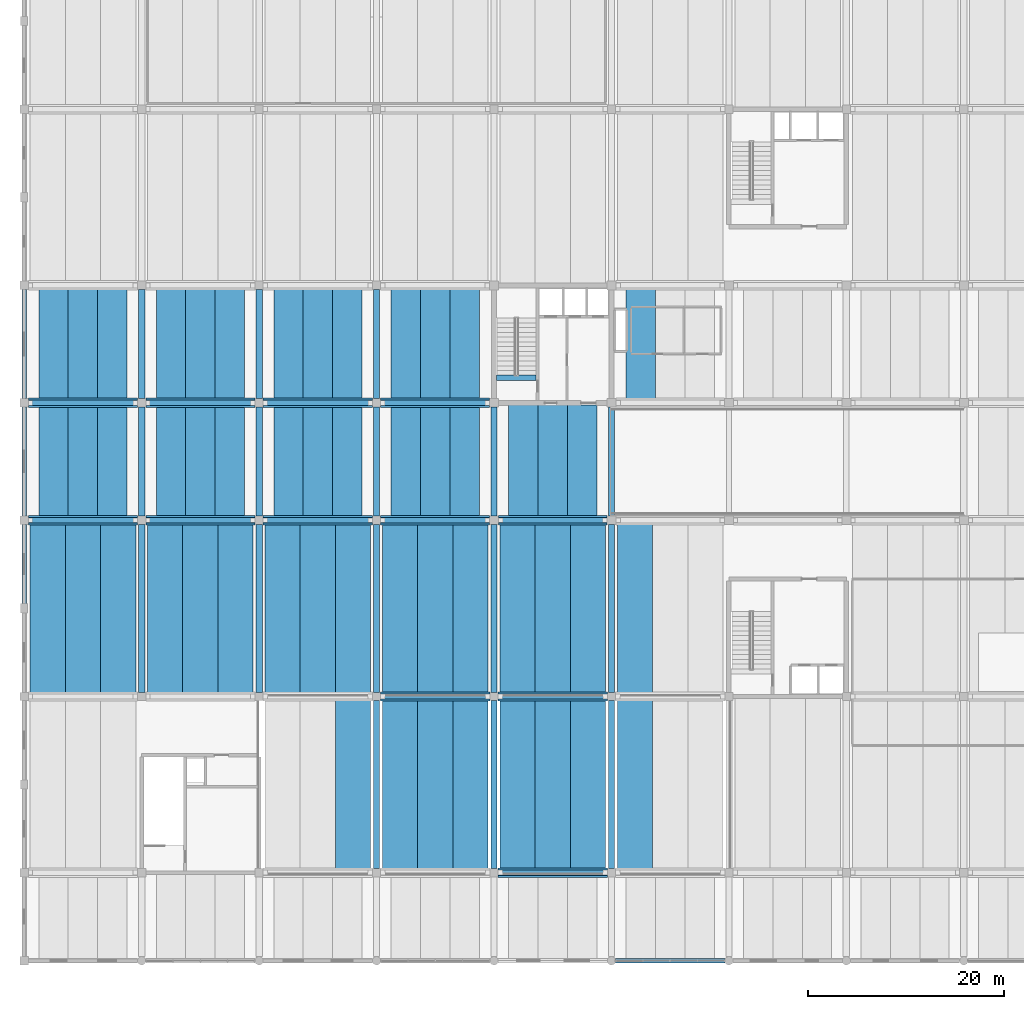
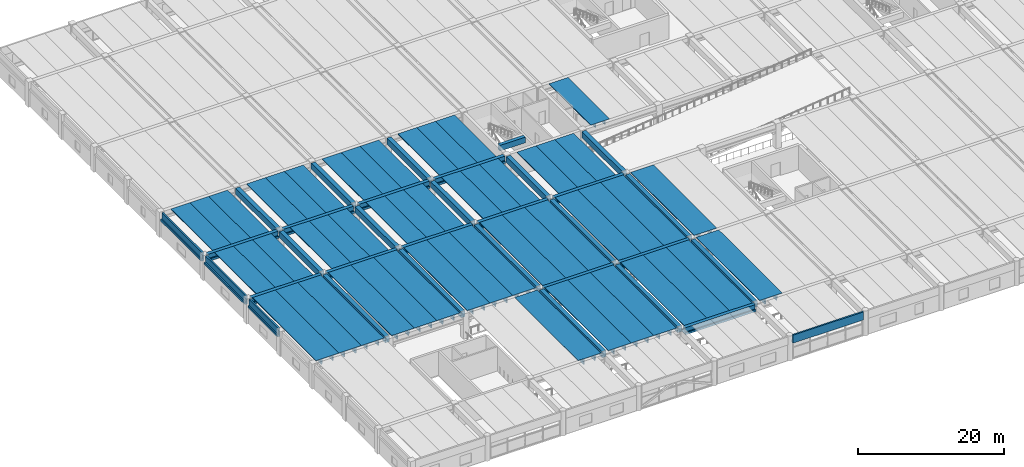
# One storey, part 10 of 50: 85 beams.
"""IFC4 building model written with IfcOpenShell, lengths in metres."""

from ifc_helpers import new_model, si_unit, direction, frame, origin, origin_2d, place, context, subcontext, project, spatial, polyline, rectangle, outline, extrude, material, material_profile, profile_set, type_object, element, save


model = new_model("IFC4")

# Units and contexts
model_context = context("Model", 3, precision=1e-05, world=origin(), true_north=direction((0.0, 1.0)))
body_context = subcontext(model_context, "Body", "Model", "MODEL_VIEW")
ifc_project = project(units=[si_unit("LENGTHUNIT", "METRE"), si_unit("AREAUNIT", "SQUARE_METRE"), si_unit("VOLUMEUNIT", "CUBIC_METRE"), si_unit("PLANEANGLEUNIT", "RADIAN"), si_unit("MASSUNIT", "GRAM", prefix="KILO")], contexts=[model_context])

# Site, building, storey
site_placement = place(None, origin())
site = spatial("IfcSite", under=ifc_project, at=site_placement, CompositionType="ELEMENT")
building_placement = place(site_placement, origin())
building = spatial("IfcBuilding", under=site, at=building_placement, Name="Girod Span Mobility Hub", CompositionType="ELEMENT")
storey_placement = place(building_placement, frame((0.0, 0.0, 5.39990234375)))
storey = spatial("IfcBuildingStorey", under=building, at=storey_placement, Name="L01", CompositionType="ELEMENT", Elevation=5.39990234375)

# Beams
ifc_material_1 = material(Name="Concrete C50/60", Category="concrete")
ifc_material_profile_1 = material_profile(ifc_material_1, outline(polyline([(-1.5, 0.35009765625), (-1.5, 0.2548828125), (-0.840087890625, 0.2548828125), (-0.81494140625, -0.35009765625), (-0.68505859375, -0.35009765625), (-0.659912109375, 0.2548828125), (0.659912109375, 0.2548828125), (0.68505859375, -0.35009765625), (0.81494140625, -0.35009765625), (0.840087890625, 0.2548828125), (1.5, 0.2548828125), (1.5, 0.35009765625), (-1.5, 0.35009765625)])), Name="DT-3000X700")
ifc_profile_set_1 = profile_set([ifc_material_profile_1], Name="Concrete C50/60")
beam_type_1 = type_object("IfcBeamType", Name="BM-DT-3000X700", PredefinedType="JOIST", material=ifc_profile_set_1)
for number, where, z_axis, x_axis, name in (
    (1, (3.0, 45.27197265625, 3.690185546875), (0.0, 1.0, 0.0), (-1.0, 0.0, 0.0), "Double-Tee Deck 1/D-1 L01"),
    (2, (6.0, 45.27197265625, 3.690185546875), (0.0, 1.0, 0.0), (-1.0, 0.0, 0.0), "Double-Tee Deck 1/D-2 L01"),
    (3, (9.0, 45.27197265625, 3.690185546875), (0.0, 1.0, 0.0), (-1.0, 0.0, 0.0), "Double-Tee Deck 1/D-3 L01"),
    (4, (3.0, 57.27197265625, 3.690185546875), (0.0, 1.0, 0.0), (-1.0, 0.0, 0.0), "Double-Tee Deck 1/E-1 L01"),
    (5, (6.0, 57.27197265625, 3.690185546875), (0.0, 1.0, 0.0), (-1.0, 0.0, 0.0), "Double-Tee Deck 1/E-2 L01"),
    (6, (9.0, 57.27197265625, 3.690185546875), (0.0, 1.0, 0.0), (-1.0, 0.0, 0.0), "Double-Tee Deck 1/E-3 L01"),
    (7, (15.0, 45.27197265625, 3.690185546875), (0.0, 1.0, 0.0), (-1.0, 0.0, 0.0), "Double-Tee Deck 2/D-1 L01"),
    (8, (18.0, 45.27197265625, 3.690185546875), (0.0, 1.0, 0.0), (-1.0, 0.0, 0.0), "Double-Tee Deck 2/D-2 L01"),
    (9, (21.0, 45.27197265625, 3.690185546875), (0.0, 1.0, 0.0), (-1.0, 0.0, 0.0), "Double-Tee Deck 2/D-3 L01"),
    (10, (15.0, 57.27197265625, 3.690185546875), (0.0, 1.0, 0.0), (-1.0, 0.0, 0.0), "Double-Tee Deck 2/E-1 L01"),
    (11, (18.0, 57.27197265625, 3.690185546875), (0.0, 1.0, 0.0), (-1.0, 0.0, 0.0), "Double-Tee Deck 2/E-2 L01"),
    (12, (21.0, 57.27197265625, 3.690185546875), (0.0, 1.0, 0.0), (-1.0, 0.0, 0.0), "Double-Tee Deck 2/E-3 L01"),
    (13, (27.0, 45.27197265625, 3.690185546875), (0.0, 1.0, 0.0), (-1.0, 0.0, 0.0), "Double-Tee Deck 3/D-1 L01"),
    (14, (30.0, 45.27197265625, 3.690185546875), (0.0, 1.0, 0.0), (-1.0, 0.0, 0.0), "Double-Tee Deck 3/D-2 L01"),
    (15, (33.0, 45.27197265625, 3.690185546875), (0.0, 1.0, 0.0), (-1.0, 0.0, 0.0), "Double-Tee Deck 3/D-3 L01"),
    (16, (27.0, 57.27197265625, 3.690185546875), (0.0, 1.0, 0.0), (-1.0, 0.0, 0.0), "Double-Tee Deck 3/E-1 L01"),
    (17, (30.0, 57.27197265625, 3.690185546875), (0.0, 1.0, 0.0), (-1.0, 0.0, 0.0), "Double-Tee Deck 3/E-2 L01"),
    (18, (33.0, 57.27197265625, 3.690185546875), (0.0, 1.0, 0.0), (-1.0, 0.0, 0.0), "Double-Tee Deck 3/E-3 L01"),
    (19, (39.0, 45.27197265625, 3.690185546875), (0.0, 1.0, 0.0), (-1.0, 0.0, 0.0), "Double-Tee Deck 4/D-1 L01"),
    (20, (42.0, 45.27197265625, 3.690185546875), (0.0, 1.0, 0.0), (-1.0, 0.0, 0.0), "Double-Tee Deck 4/D-2 L01"),
    (21, (45.0, 45.27197265625, 3.690185546875), (0.0, 1.0, 0.0), (-1.0, 0.0, 0.0), "Double-Tee Deck 4/D-3 L01"),
    (22, (39.0, 57.27197265625, 3.690185546875), (0.0, 1.0, 0.0), (-1.0, 0.0, 0.0), "Double-Tee Deck 4/E-1 L01"),
    (23, (42.0, 57.27197265625, 3.690185546875), (0.0, 1.0, 0.0), (-1.0, 0.0, 0.0), "Double-Tee Deck 4/E-2 L01"),
    (24, (45.0, 57.27197265625, 3.690185546875), (0.0, 1.0, 0.0), (-1.0, 0.0, 0.0), "Double-Tee Deck 4/E-3 L01"),
):
    element("IfcBeam", number, at=place(storey_placement, frame(where, z_axis=z_axis, x_axis=x_axis)), inside=storey, type_object=beam_type_1, Name=name, PredefinedType="JOIST", context=body_context, shape_type="SweptSolid", body=[
        extrude(outline(polyline([(-1.5, 0.35009765625), (-1.5, 0.2548828125), (-0.840087890625, 0.2548828125), (-0.81494140625, -0.35009765625), (-0.68505859375, -0.35009765625), (-0.659912109375, 0.2548828125), (0.659912109375, 0.2548828125), (0.68505859375, -0.35009765625), (0.81494140625, -0.35009765625), (0.840087890625, 0.2548828125), (1.5, 0.2548828125), (1.5, 0.35009765625), (-1.5, 0.35009765625)])), origin(), (0.0, 0.0, 1.0), 11.4560546875),
    ])
for number, where, z_axis, x_axis, name in (
    (25, (51.0, 45.27197265625, 3.690185546875), (0.0, 1.0, 0.0), (-1.0, 0.0, 0.0), "Double-Tee Deck 5/D-1 L01"),
    (26, (54.0, 45.27197265625, 3.690185546875), (0.0, 1.0, 0.0), (-1.0, 0.0, 0.0), "Double-Tee Deck 5/D-2 L01"),
    (27, (57.0, 45.27197265625, 3.690185546875), (0.0, 1.0, 0.0), (-1.0, 0.0, 0.0), "Double-Tee Deck 5/D-3 L01"),
):
    element("IfcBeam", number, at=place(storey_placement, frame(where, z_axis=z_axis, x_axis=x_axis)), inside=storey, type_object=beam_type_1, Name=name, PredefinedType="JOIST", context=body_context, shape_type="SweptSolid", body=[
        extrude(outline(polyline([(-1.5, 0.35009765625), (-1.5, 0.2548828125), (-0.840087890625, 0.2548828125), (-0.81494140625, -0.35009765625), (-0.68505859375, -0.35009765625), (-0.659912109375, 0.2548828125), (0.659912109375, 0.2548828125), (0.68505859375, -0.35009765625), (0.81494140625, -0.35009765625), (0.840087890625, 0.2548828125), (1.5, 0.2548828125), (1.5, 0.35009765625), (-1.5, 0.35009765625)])), origin(), (0.0, 0.0, 1.0), 11.48095703125),
    ])
beam_1_placement = place(storey_placement, frame((63.0, 57.27197265625, 3.690185546875), z_axis=(0.0, 1.0, 0.0), x_axis=(-1.0, 0.0, 0.0)))
element("IfcBeam", 28, at=beam_1_placement, inside=storey, type_object=beam_type_1, Name="Double-Tee Deck 6/E-1 L01", PredefinedType="JOIST", context=body_context, shape_type="SweptSolid", body=[
    extrude(outline(polyline([(-1.5, 0.35009765625), (-1.5, 0.2548828125), (-0.840087890625, 0.2548828125), (-0.81494140625, -0.35009765625), (-0.68505859375, -0.35009765625), (-0.659912109375, 0.2548828125), (0.659912109375, 0.2548828125), (0.68505859375, -0.35009765625), (0.81494140625, -0.35009765625), (0.840087890625, 0.2548828125), (1.5, 0.2548828125), (1.5, 0.35009765625), (-1.5, 0.35009765625)])), origin(), (0.0, 0.0, 1.0), 11.4560546875),
])
ifc_material_2 = material(Name="Concrete C50/60", Category="concrete")
ifc_material_profile_2 = material_profile(ifc_material_2, outline(polyline([(-1.800048828125, 0.47509765625), (-1.800048828125, 0.364990234375), (-1.010009765625, 0.364990234375), (-0.97509765625, -0.47509765625), (-0.824951171875, -0.47509765625), (-0.7900390625, 0.364990234375), (0.7900390625, 0.364990234375), (0.824951171875, -0.47509765625), (0.97509765625, -0.47509765625), (1.010009765625, 0.364990234375), (1.800048828125, 0.364990234375), (1.800048828125, 0.47509765625), (-1.800048828125, 0.47509765625)])), Name="DT-3600X950")
ifc_profile_set_2 = profile_set([ifc_material_profile_2], Name="Concrete C50/60")
beam_type_2 = type_object("IfcBeamType", Name="BM-DT-3600X950", PredefinedType="JOIST", material=ifc_profile_set_2)
for number, where, z_axis, x_axis, name in (
    (29, (2.39990234375, 27.27197265625, 3.565185546875), (0.0, 1.0, 0.0), (-1.0, 0.0, 0.0), "Double-Tee Deck 1/C-1 L01"),
    (30, (6.0, 27.27197265625, 3.565185546875), (0.0, 1.0, 0.0), (-1.0, 0.0, 0.0), "Double-Tee Deck 1/C-2 L01"),
    (31, (9.60009765625, 27.27197265625, 3.565185546875), (0.0, 1.0, 0.0), (-1.0, 0.0, 0.0), "Double-Tee Deck 1/C-3 L01"),
    (32, (14.39990234375, 27.27197265625, 3.565185546875), (0.0, 1.0, 0.0), (-1.0, 0.0, 0.0), "Double-Tee Deck 2/C-1 L01"),
    (33, (18.0, 27.27197265625, 3.565185546875), (0.0, 1.0, 0.0), (-1.0, 0.0, 0.0), "Double-Tee Deck 2/C-2 L01"),
    (34, (21.60009765625, 27.27197265625, 3.565185546875), (0.0, 1.0, 0.0), (-1.0, 0.0, 0.0), "Double-Tee Deck 2/C-3 L01"),
    (35, (33.60009765625, 9.27197265625, 3.565185546875), (0.0, 1.0, 0.0), (-1.0, 0.0, 0.0), "Double-Tee Deck 3/B-3 L01"),
    (36, (26.39990234375, 27.27197265625, 3.565185546875), (0.0, 1.0, 0.0), (-1.0, 0.0, 0.0), "Double-Tee Deck 3/C-1 L01"),
    (37, (30.0, 27.27197265625, 3.565185546875), (0.0, 1.0, 0.0), (-1.0, 0.0, 0.0), "Double-Tee Deck 3/C-2 L01"),
    (38, (33.60009765625, 27.27197265625, 3.565185546875), (0.0, 1.0, 0.0), (-1.0, 0.0, 0.0), "Double-Tee Deck 3/C-3 L01"),
    (39, (38.39990234375, 9.27197265625, 3.565185546875), (0.0, 1.0, 0.0), (-1.0, 0.0, 0.0), "Double-Tee Deck 4/B-1 L01"),
    (40, (42.0, 9.27197265625, 3.565185546875), (0.0, 1.0, 0.0), (-1.0, 0.0, 0.0), "Double-Tee Deck 4/B-2 L01"),
    (41, (45.60009765625, 9.27197265625, 3.565185546875), (0.0, 1.0, 0.0), (-1.0, 0.0, 0.0), "Double-Tee Deck 4/B-3 L01"),
    (42, (38.39990234375, 27.27197265625, 3.565185546875), (0.0, 1.0, 0.0), (-1.0, 0.0, 0.0), "Double-Tee Deck 4/C-1 L01"),
    (43, (42.0, 27.27197265625, 3.565185546875), (0.0, 1.0, 0.0), (-1.0, 0.0, 0.0), "Double-Tee Deck 4/C-2 L01"),
    (44, (45.60009765625, 27.27197265625, 3.565185546875), (0.0, 1.0, 0.0), (-1.0, 0.0, 0.0), "Double-Tee Deck 4/C-3 L01"),
    (45, (50.39990234375, 9.27197265625, 3.565185546875), (0.0, 1.0, 0.0), (-1.0, 0.0, 0.0), "Double-Tee Deck 5/B-1 L01"),
    (46, (54.0, 9.27197265625, 3.565185546875), (0.0, 1.0, 0.0), (-1.0, 0.0, 0.0), "Double-Tee Deck 5/B-2 L01"),
    (47, (57.60009765625, 9.27197265625, 3.565185546875), (0.0, 1.0, 0.0), (-1.0, 0.0, 0.0), "Double-Tee Deck 5/B-3 L01"),
    (48, (50.39990234375, 27.27197265625, 3.565185546875), (0.0, 1.0, 0.0), (-1.0, 0.0, 0.0), "Double-Tee Deck 5/C-1 L01"),
    (49, (54.0, 27.27197265625, 3.565185546875), (0.0, 1.0, 0.0), (-1.0, 0.0, 0.0), "Double-Tee Deck 5/C-2 L01"),
    (50, (57.60009765625, 27.27197265625, 3.565185546875), (0.0, 1.0, 0.0), (-1.0, 0.0, 0.0), "Double-Tee Deck 5/C-3 L01"),
    (51, (62.39990234375, 9.27197265625, 3.565185546875), (0.0, 1.0, 0.0), (-1.0, 0.0, 0.0), "Double-Tee Deck 6/B-1 L01"),
    (52, (62.39990234375, 27.27197265625, 3.565185546875), (0.0, 1.0, 0.0), (-1.0, 0.0, 0.0), "Double-Tee Deck 6/C-1 L01"),
):
    element("IfcBeam", number, at=place(storey_placement, frame(where, z_axis=z_axis, x_axis=x_axis)), inside=storey, type_object=beam_type_2, Name=name, PredefinedType="JOIST", context=body_context, shape_type="SweptSolid", body=[
        extrude(outline(polyline([(-1.800048828125, 0.47509765625), (-1.800048828125, 0.364990234375), (-1.010009765625, 0.364990234375), (-0.97509765625, -0.47509765625), (-0.824951171875, -0.47509765625), (-0.7900390625, 0.364990234375), (0.7900390625, 0.364990234375), (0.824951171875, -0.47509765625), (0.97509765625, -0.47509765625), (1.010009765625, 0.364990234375), (1.800048828125, 0.364990234375), (1.800048828125, 0.47509765625), (-1.800048828125, 0.47509765625)])), origin(), (0.0, 0.0, 1.0), 17.4560546875),
    ])
ifc_material_3 = material(Name="Concrete C50/60", Category="concrete")
ifc_material_profile_3 = material_profile(ifc_material_3, outline(polyline([(-0.47509765625, -0.52490234375), (0.47509765625, -0.52490234375), (0.47509765625, -0.175048828125), (0.27490234375, -0.175048828125), (0.27490234375, 0.52490234375), (-0.27490234375, 0.52490234375), (-0.27490234375, -0.175048828125), (-0.47509765625, -0.175048828125), (-0.47509765625, -0.52490234375)])), Name="IT-950X1050")
ifc_profile_set_3 = profile_set([ifc_material_profile_3], Name="Concrete C50/60")
beam_type_3 = type_object("IfcBeamType", Name="BM-IT-950X1050", PredefinedType="T_BEAM", material=ifc_profile_set_3)
for number, where, z_axis, x_axis, name in (
    (53, (48.422119140625, 9.0, 3.51513671875), (1.0, 0.0, 0.0), (0.0, 1.0, 0.0), "Girder 5-6/B L01"),
    (54, (36.422119140625, 27.0, 3.51513671875), (1.0, 0.0, 0.0), (0.0, 1.0, 0.0), "Girder 4-5/C L01"),
    (55, (48.422119140625, 27.0, 3.51513671875), (1.0, 0.0, 0.0), (0.0, 1.0, 0.0), "Girder 5-6/C L01"),
    (56, (0.422119140625, 45.0, 3.51513671875), (1.0, 0.0, 0.0), (0.0, 1.0, 0.0), "Girder 1-2/D L01"),
    (57, (12.422119140625, 45.0, 3.51513671875), (1.0, 0.0, 0.0), (0.0, 1.0, 0.0), "Girder 2-3/D L01"),
    (58, (24.422119140625, 45.0, 3.51513671875), (1.0, 0.0, 0.0), (0.0, 1.0, 0.0), "Girder 3-4/D L01"),
):
    element("IfcBeam", number, at=place(storey_placement, frame(where, z_axis=z_axis, x_axis=x_axis)), inside=storey, type_object=beam_type_3, Name=name, PredefinedType="T_BEAM", context=body_context, shape_type="SweptSolid", body=[
        extrude(outline(polyline([(-0.47509765625, -0.52490234375), (0.47509765625, -0.52490234375), (0.47509765625, -0.175048828125), (0.27490234375, -0.175048828125), (0.27490234375, 0.52490234375), (-0.27490234375, 0.52490234375), (-0.27490234375, -0.175048828125), (-0.47509765625, -0.175048828125), (-0.47509765625, -0.52490234375)])), origin(), (0.0, 0.0, 1.0), 11.15576171875),
    ])
beam_2_placement = place(storey_placement, frame((36.422119140625, 45.0, 3.51513671875), z_axis=(1.0, 0.0, 0.0), x_axis=(0.0, 1.0, 0.0)))
element("IfcBeam", 59, at=beam_2_placement, inside=storey, type_object=beam_type_3, Name="Girder 4-5/D L01", PredefinedType="T_BEAM", context=body_context, shape_type="SweptSolid", body=[
    extrude(outline(polyline([(-0.47509765625, -0.52490234375), (0.47509765625, -0.52490234375), (0.47509765625, -0.175048828125), (0.27490234375, -0.175048828125), (0.27490234375, 0.52490234375), (-0.27490234375, 0.52490234375), (-0.27490234375, -0.175048828125), (-0.47509765625, -0.175048828125), (-0.47509765625, -0.52490234375)])), origin(), (0.0, 0.0, 1.0), 11.130859375),
])
beam_3_placement = place(storey_placement, frame((48.447021484375, 45.0, 3.51513671875), z_axis=(1.0, 0.0, 0.0), x_axis=(0.0, 1.0, 0.0)))
element("IfcBeam", 60, at=beam_3_placement, inside=storey, type_object=beam_type_3, Name="Girder 5-6/D L01", PredefinedType="T_BEAM", context=body_context, shape_type="SweptSolid", body=[
    extrude(outline(polyline([(-0.47509765625, -0.52490234375), (0.47509765625, -0.52490234375), (0.47509765625, -0.175048828125), (0.27490234375, -0.175048828125), (0.27490234375, 0.52490234375), (-0.27490234375, 0.52490234375), (-0.27490234375, -0.175048828125), (-0.47509765625, -0.175048828125), (-0.47509765625, -0.52490234375)])), origin(), (0.0, 0.0, 1.0), 11.10595703125),
])
for number, where, z_axis, x_axis, name in (
    (61, (0.422119140625, 57.0, 3.51513671875), (1.0, 0.0, 0.0), (0.0, 1.0, 0.0), "Girder 1-2/E L01"),
    (62, (12.422119140625, 57.0, 3.51513671875), (1.0, 0.0, 0.0), (0.0, 1.0, 0.0), "Girder 2-3/E L01"),
    (63, (24.422119140625, 57.0, 3.51513671875), (1.0, 0.0, 0.0), (0.0, 1.0, 0.0), "Girder 3-4/E L01"),
):
    element("IfcBeam", number, at=place(storey_placement, frame(where, z_axis=z_axis, x_axis=x_axis)), inside=storey, type_object=beam_type_3, Name=name, PredefinedType="T_BEAM", context=body_context, shape_type="SweptSolid", body=[
        extrude(outline(polyline([(-0.47509765625, -0.52490234375), (0.47509765625, -0.52490234375), (0.47509765625, -0.175048828125), (0.27490234375, -0.175048828125), (0.27490234375, 0.52490234375), (-0.27490234375, 0.52490234375), (-0.27490234375, -0.175048828125), (-0.47509765625, -0.175048828125), (-0.47509765625, -0.52490234375)])), origin(), (0.0, 0.0, 1.0), 11.15576171875),
    ])
beam_4_placement = place(storey_placement, frame((36.422119140625, 57.0, 3.51513671875), z_axis=(1.0, 0.0, 0.0), x_axis=(0.0, 1.0, 0.0)))
element("IfcBeam", 64, at=beam_4_placement, inside=storey, type_object=beam_type_3, Name="Girder 4-5/E L01", PredefinedType="T_BEAM", context=body_context, shape_type="SweptSolid", body=[
    extrude(outline(polyline([(-0.47509765625, -0.52490234375), (0.47509765625, -0.52490234375), (0.47509765625, -0.175048828125), (0.27490234375, -0.175048828125), (0.27490234375, 0.52490234375), (-0.27490234375, 0.52490234375), (-0.27490234375, -0.175048828125), (-0.47509765625, -0.175048828125), (-0.47509765625, -0.52490234375)])), origin(), (0.0, 0.0, 1.0), 11.130859375),
])
ifc_material_4 = material(Name="Concrete C40/50", Category="concrete")
ifc_material_profile_4 = material_profile(ifc_material_4, rectangle(XDim=0.550048828125, YDim=0.949951171875, at=origin_2d()), Name="RK-550X950")
ifc_profile_set_4 = profile_set([ifc_material_profile_4], Name="Concrete C40/50")
beam_type_4 = type_object("IfcBeamType", Name="BM-RK-550X950", PredefinedType="BEAM", material=ifc_profile_set_4)
beam_5_placement = place(storey_placement, frame((48.2470703125, 59.550048828125, 3.565185546875), z_axis=(1.0, 0.0, 0.0), x_axis=(0.0, 1.0, 0.0)))
element("IfcBeam", 65, at=beam_5_placement, inside=storey, type_object=beam_type_4, Name="Stair ST-1 Landing Header Beam L01", PredefinedType="BEAM", context=body_context, shape_type="SweptSolid", body=[
    extrude(rectangle(XDim=0.550048828125, YDim=0.949951171875, at=origin_2d()), origin(), (0.0, 0.0, 1.0), 4.055908203125),
])
ifc_material_5 = material(Name="Concrete C40/50", Category="concrete")
ifc_material_profile_5 = material_profile(ifc_material_5, outline(polyline([(-0.22509765625, -0.675048828125), (0.22509765625, -0.675048828125), (0.22509765625, -0.324951171875), (0.02490234375, -0.324951171875), (0.02490234375, 0.675048828125), (-0.22509765625, 0.675048828125), (-0.22509765625, -0.675048828125)])), Name="SP-450X1350")
ifc_profile_set_5 = profile_set([ifc_material_profile_5], Name="Concrete C40/50")
beam_type_5 = type_object("IfcBeamType", Name="BM-SP-450X1350", PredefinedType="SPANDREL", material=ifc_profile_set_5)
beam_6_placement = place(storey_placement, frame((60.422119140625, 0.0, 3.364990234375), z_axis=(1.0, 0.0, 0.0), x_axis=(0.0, 1.0, 0.0)))
element("IfcBeam", 66, at=beam_6_placement, inside=storey, type_object=beam_type_5, Name="Girder 6-7/A L01", PredefinedType="SPANDREL", context=body_context, shape_type="SweptSolid", body=[
    extrude(outline(polyline([(-0.22509765625, -0.675048828125), (0.22509765625, -0.675048828125), (0.22509765625, -0.324951171875), (0.02490234375, -0.324951171875), (0.02490234375, 0.675048828125), (-0.22509765625, 0.675048828125), (-0.22509765625, -0.675048828125)])), origin(), (0.0, 0.0, 1.0), 11.15576171875),
])
beam_7_placement = place(storey_placement, frame((0.0, 36.471923828125, 3.364990234375), z_axis=(0.0, 1.0, 0.0), x_axis=(-1.0, 0.0, 0.0)))
element("IfcBeam", 67, at=beam_7_placement, inside=storey, type_object=beam_type_5, Name="Perimeter Spandrel 1/C-N L01", PredefinedType="SPANDREL", context=body_context, shape_type="SweptSolid", body=[
    extrude(outline(polyline([(-0.22509765625, -0.675048828125), (0.22509765625, -0.675048828125), (0.22509765625, -0.324951171875), (0.02490234375, -0.324951171875), (0.02490234375, 0.675048828125), (-0.22509765625, 0.675048828125), (-0.22509765625, -0.675048828125)])), origin(), (0.0, 0.0, 1.0), 8.10595703125),
])
for number, where, z_axis, x_axis, name in (
    (68, (0.0, 45.422119140625, 3.364990234375), (0.0, 1.0, 0.0), (-1.0, 0.0, 0.0), "Tie Girder 1/D-E L01"),
    (69, (0.0, 57.422119140625, 3.364990234375), (0.0, 1.0, 0.0), (-1.0, 0.0, 0.0), "Tie Girder 1/E-F L01"),
):
    element("IfcBeam", number, at=place(storey_placement, frame(where, z_axis=z_axis, x_axis=x_axis)), inside=storey, type_object=beam_type_5, Name=name, PredefinedType="SPANDREL", context=body_context, shape_type="SweptSolid", body=[
        extrude(outline(polyline([(-0.22509765625, -0.675048828125), (0.22509765625, -0.675048828125), (0.22509765625, -0.324951171875), (0.02490234375, -0.324951171875), (0.02490234375, 0.675048828125), (-0.22509765625, 0.675048828125), (-0.22509765625, -0.675048828125)])), origin(), (0.0, 0.0, 1.0), 11.15576171875),
    ])
ifc_material_6 = material(Name="Concrete C40/50", Category="concrete")
ifc_material_profile_6 = material_profile(ifc_material_6, rectangle(XDim=0.64990234375, YDim=1.0, at=origin_2d()), Name="TG-650X1000")
ifc_profile_set_6 = profile_set([ifc_material_profile_6], Name="Concrete C40/50")
beam_type_6 = type_object("IfcBeamType", Name="BM-TG-650X1000", PredefinedType="T_BEAM", material=ifc_profile_set_6)
beam_8_placement = place(storey_placement, frame((12.0, 27.422119140625, 3.5400390625), z_axis=(0.0, 1.0, 0.0), x_axis=(-1.0, 0.0, 0.0)))
element("IfcBeam", 70, at=beam_8_placement, inside=storey, type_object=beam_type_6, Name="Tie Girder 2/C-D L01", PredefinedType="T_BEAM", context=body_context, shape_type="SweptSolid", body=[
    extrude(rectangle(XDim=0.64990234375, YDim=1.0, at=origin_2d()), origin(), (0.0, 0.0, 1.0), 17.15576171875),
])
for number, where, z_axis, x_axis, name in (
    (71, (12.0, 45.422119140625, 3.5400390625), (0.0, 1.0, 0.0), (-1.0, 0.0, 0.0), "Tie Girder 2/D-E L01"),
    (72, (12.0, 57.422119140625, 3.5400390625), (0.0, 1.0, 0.0), (-1.0, 0.0, 0.0), "Tie Girder 2/E-F L01"),
):
    element("IfcBeam", number, at=place(storey_placement, frame(where, z_axis=z_axis, x_axis=x_axis)), inside=storey, type_object=beam_type_6, Name=name, PredefinedType="T_BEAM", context=body_context, shape_type="SweptSolid", body=[
        extrude(rectangle(XDim=0.64990234375, YDim=1.0, at=origin_2d()), origin(), (0.0, 0.0, 1.0), 11.15576171875),
    ])
beam_9_placement = place(storey_placement, frame((24.0, 27.422119140625, 3.5400390625), z_axis=(0.0, 1.0, 0.0), x_axis=(-1.0, 0.0, 0.0)))
element("IfcBeam", 73, at=beam_9_placement, inside=storey, type_object=beam_type_6, Name="Tie Girder 3/C-D L01", PredefinedType="T_BEAM", context=body_context, shape_type="SweptSolid", body=[
    extrude(rectangle(XDim=0.64990234375, YDim=1.0, at=origin_2d()), origin(), (0.0, 0.0, 1.0), 17.15576171875),
])
for number, where, z_axis, x_axis, name in (
    (74, (24.0, 45.422119140625, 3.5400390625), (0.0, 1.0, 0.0), (-1.0, 0.0, 0.0), "Tie Girder 3/D-E L01"),
    (75, (24.0, 57.422119140625, 3.5400390625), (0.0, 1.0, 0.0), (-1.0, 0.0, 0.0), "Tie Girder 3/E-F L01"),
):
    element("IfcBeam", number, at=place(storey_placement, frame(where, z_axis=z_axis, x_axis=x_axis)), inside=storey, type_object=beam_type_6, Name=name, PredefinedType="T_BEAM", context=body_context, shape_type="SweptSolid", body=[
        extrude(rectangle(XDim=0.64990234375, YDim=1.0, at=origin_2d()), origin(), (0.0, 0.0, 1.0), 11.15576171875),
    ])
for number, where, z_axis, x_axis, name in (
    (76, (36.0, 9.422119140625, 3.5400390625), (0.0, 1.0, 0.0), (-1.0, 0.0, 0.0), "Tie Girder 4/B-C L01"),
    (77, (36.0, 27.422119140625, 3.5400390625), (0.0, 1.0, 0.0), (-1.0, 0.0, 0.0), "Tie Girder 4/C-D L01"),
):
    element("IfcBeam", number, at=place(storey_placement, frame(where, z_axis=z_axis, x_axis=x_axis)), inside=storey, type_object=beam_type_6, Name=name, PredefinedType="T_BEAM", context=body_context, shape_type="SweptSolid", body=[
        extrude(rectangle(XDim=0.64990234375, YDim=1.0, at=origin_2d()), origin(), (0.0, 0.0, 1.0), 17.15576171875),
    ])
for number, where, z_axis, x_axis, name in (
    (78, (36.0, 45.422119140625, 3.5400390625), (0.0, 1.0, 0.0), (-1.0, 0.0, 0.0), "Tie Girder 4/D-E L01"),
    (79, (36.0, 57.422119140625, 3.5400390625), (0.0, 1.0, 0.0), (-1.0, 0.0, 0.0), "Tie Girder 4/E-F L01"),
):
    element("IfcBeam", number, at=place(storey_placement, frame(where, z_axis=z_axis, x_axis=x_axis)), inside=storey, type_object=beam_type_6, Name=name, PredefinedType="T_BEAM", context=body_context, shape_type="SweptSolid", body=[
        extrude(rectangle(XDim=0.64990234375, YDim=1.0, at=origin_2d()), origin(), (0.0, 0.0, 1.0), 11.15576171875),
    ])
beam_10_placement = place(storey_placement, frame((48.0, 9.422119140625, 3.5400390625), z_axis=(0.0, 1.0, 0.0), x_axis=(-1.0, 0.0, 0.0)))
element("IfcBeam", 80, at=beam_10_placement, inside=storey, type_object=beam_type_6, Name="Tie Girder 5/B-C L01", PredefinedType="T_BEAM", context=body_context, shape_type="SweptSolid", body=[
    extrude(rectangle(XDim=0.64990234375, YDim=1.0, at=origin_2d()), origin(), (0.0, 0.0, 1.0), 17.15576171875),
])
beam_11_placement = place(storey_placement, frame((48.0, 27.422119140625, 3.5400390625), z_axis=(0.0, 1.0, 0.0), x_axis=(-1.0, 0.0, 0.0)))
element("IfcBeam", 81, at=beam_11_placement, inside=storey, type_object=beam_type_6, Name="Tie Girder 5/C-D L01", PredefinedType="T_BEAM", context=body_context, shape_type="SweptSolid", body=[
    extrude(rectangle(XDim=0.64990234375, YDim=1.0, at=origin_2d()), origin(), (0.0, 0.0, 1.0), 17.130859375),
])
beam_12_placement = place(storey_placement, frame((48.0, 45.447021484375, 3.5400390625), z_axis=(0.0, 1.0, 0.0), x_axis=(-1.0, 0.0, 0.0)))
element("IfcBeam", 82, at=beam_12_placement, inside=storey, type_object=beam_type_6, Name="Tie Girder 5/D-E L01", PredefinedType="T_BEAM", context=body_context, shape_type="SweptSolid", body=[
    extrude(rectangle(XDim=0.64990234375, YDim=1.0, at=origin_2d()), origin(), (0.0, 0.0, 1.0), 11.10595703125),
])
beam_13_placement = place(storey_placement, frame((60.0, 9.422119140625, 3.5400390625), z_axis=(0.0, 1.0, 0.0), x_axis=(-1.0, 0.0, 0.0)))
element("IfcBeam", 83, at=beam_13_placement, inside=storey, type_object=beam_type_6, Name="Tie Girder 6/B-C L01", PredefinedType="T_BEAM", context=body_context, shape_type="SweptSolid", body=[
    extrude(rectangle(XDim=0.64990234375, YDim=1.0, at=origin_2d()), origin(), (0.0, 0.0, 1.0), 17.15576171875),
])
beam_14_placement = place(storey_placement, frame((60.0, 27.422119140625, 3.5400390625), z_axis=(0.0, 1.0, 0.0), x_axis=(-1.0, 0.0, 0.0)))
element("IfcBeam", 84, at=beam_14_placement, inside=storey, type_object=beam_type_6, Name="Tie Girder 6/C-D L01", PredefinedType="T_BEAM", context=body_context, shape_type="SweptSolid", body=[
    extrude(rectangle(XDim=0.64990234375, YDim=1.0, at=origin_2d()), origin(), (0.0, 0.0, 1.0), 17.130859375),
])
beam_15_placement = place(storey_placement, frame((60.0, 45.447021484375, 3.5400390625), z_axis=(0.0, 1.0, 0.0), x_axis=(-1.0, 0.0, 0.0)))
element("IfcBeam", 85, at=beam_15_placement, inside=storey, type_object=beam_type_6, Name="Tie Girder 6/D-E L01", PredefinedType="T_BEAM", context=body_context, shape_type="SweptSolid", body=[
    extrude(rectangle(XDim=0.64990234375, YDim=1.0, at=origin_2d()), origin(), (0.0, 0.0, 1.0), 11.10595703125),
])

save(model, "model.ifc")
